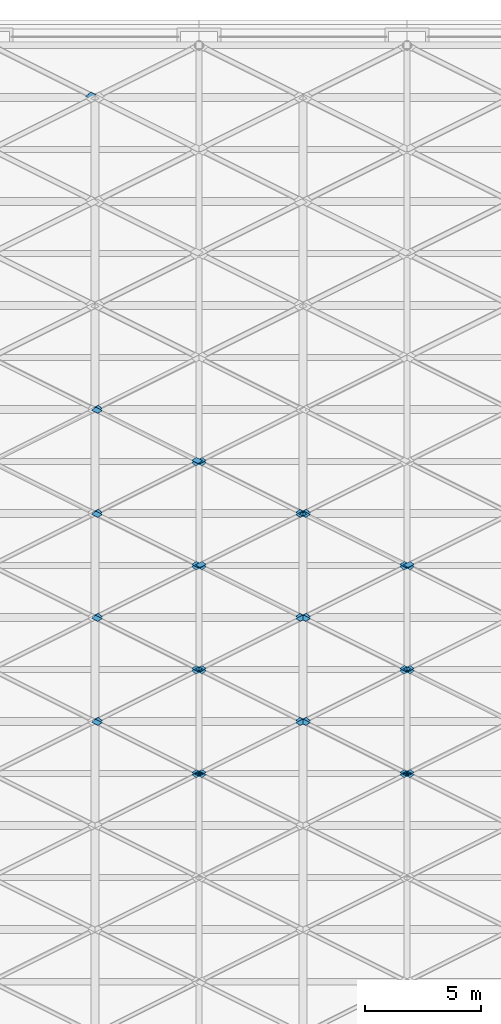
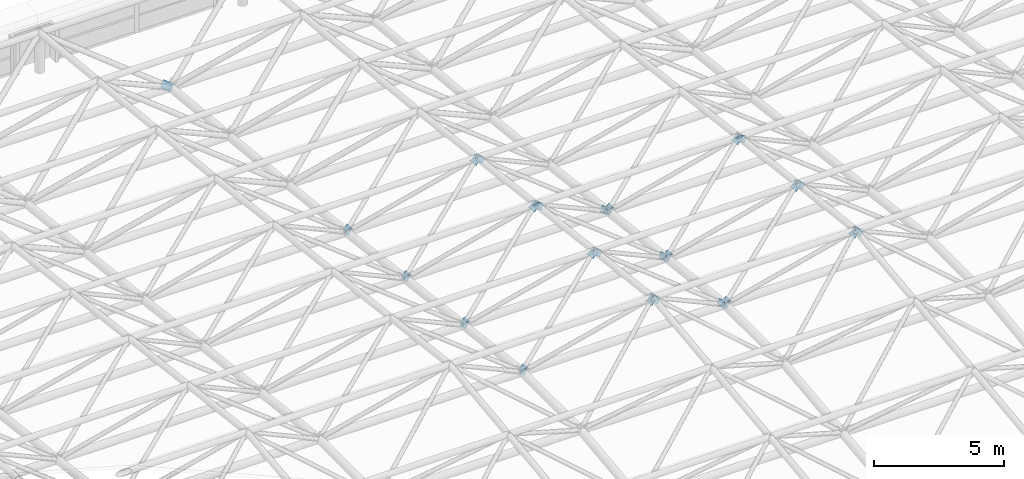
# One storey, part 39 of 53: 49 discrete accessories.
"""IFC4 building model written with IfcOpenShell, lengths in metres."""

from ifc_helpers import new_model, si_unit, direction, frame, origin, place, context, subcontext, project, spatial, polyline, outline, extrude, material, layer, layer_set, type_object, element, save


model = new_model("IFC4")

# Units and contexts
model_context = context("Model", 3, precision=1e-05, world=origin(), true_north=direction((0.0, 1.0)))
body_context = subcontext(model_context, "Body", "Model", "MODEL_VIEW")
ifc_project = project(units=[si_unit("LENGTHUNIT", "METRE"), si_unit("AREAUNIT", "SQUARE_METRE"), si_unit("VOLUMEUNIT", "CUBIC_METRE"), si_unit("PLANEANGLEUNIT", "RADIAN"), si_unit("MASSUNIT", "GRAM", prefix="KILO")], contexts=[model_context])

# Site, building, storey
site_placement = place(None, origin())
site = spatial("IfcSite", under=ifc_project, at=site_placement, CompositionType="ELEMENT")
building_placement = place(site_placement, origin())
building = spatial("IfcBuilding", under=site, at=building_placement, Name="Aravalli Gate Trade Fair Centre", CompositionType="ELEMENT")
storey_placement = place(building_placement, frame((0.0, 0.0, 25.199951171875)))
storey = spatial("IfcBuildingStorey", under=building, at=storey_placement, Name="ROOF LEVEL 2", CompositionType="ELEMENT", Elevation=25.199951171875)

# Discrete accessories
ifc_material = material(Name="Steel E350", Category="steel")
ifc_layer_1 = layer(ifc_material, 0.011962890625)
ifc_layer_set_1 = layer_set([ifc_layer_1], Name="Steel E350")
discrete_accessory_type_1 = type_object("IfcDiscreteAccessoryType", Name="Gusset plate 291 x 291 x 12", PredefinedType="USERDEFINED", material=ifc_layer_set_1)
for number, where, z_axis, x_axis, name in (
    (1, (42.121826171875, 77.324462890625, 5.08544921875), (0.000136804439, -0.823750482353, 0.566952488404), (-0.749929392198, 0.374964696099, 0.54498383774), "Gusset plate Space frame web diagonal D3C end A"),
    (2, (51.121826171875, 77.324462890625, 5.08544921875), (0.000136804439, -0.823750482353, 0.566952488404), (-0.749929392198, 0.374964696099, 0.54498383774), "Gusset plate Space frame web diagonal D3C end A"),
):
    element("IfcDiscreteAccessory", number, at=place(storey_placement, frame(where, z_axis=z_axis, x_axis=x_axis)), inside=storey, type_object=discrete_accessory_type_1, Name=name, ObjectType="GUSSET PLATE", PredefinedType="USERDEFINED", context=body_context, shape_type="SweptSolid", body=[
        extrude(outline(polyline([(0.0, 0.0), (0.37047758647752815, -1.3877787807814457e-17), (0.37050220203048867, -0.2904791260615137), (2.461555296055795e-05, -0.2904791260615137), (0.0, 0.0)])), origin(), (0.0, 0.0, -1.0), 0.011962890625),
    ])
for number, where, z_axis, x_axis, name in (
    (3, (41.68603515625, 77.447998046875, 5.264892578125), (-0.000136804439, -0.823750482353, 0.566952488404), (0.749929392198, 0.374964696099, 0.54498383774), "Gusset plate Space frame web diagonal D3D end A"),
    (4, (50.68603515625, 77.447998046875, 5.264892578125), (-0.000136804439, -0.823750482353, 0.566952488404), (0.749929392198, 0.374964696099, 0.54498383774), "Gusset plate Space frame web diagonal D3D end A"),
):
    element("IfcDiscreteAccessory", number, at=place(storey_placement, frame(where, z_axis=z_axis, x_axis=x_axis)), inside=storey, type_object=discrete_accessory_type_1, Name=name, ObjectType="GUSSET PLATE", PredefinedType="USERDEFINED", context=body_context, shape_type="SweptSolid", body=[
        extrude(outline(polyline([(0.0, 0.0), (0.37047758647752815, 1.3877787807814457e-17), (0.37045297092456764, -0.2904791260615137), (-2.461555296055795e-05, -0.2904791260615137), (0.0, 0.0)])), origin(), (0.0, 0.0, -1.0), 0.011962890625),
    ])
discrete_accessory_1_placement = place(storey_placement, frame((42.121826171875, 77.675537109375, 5.08544921875), z_axis=(0.000136804439, 0.823750482353, 0.566952488404), x_axis=(-0.749929392198, -0.374964696099, 0.54498383774)))
element("IfcDiscreteAccessory", 5, at=discrete_accessory_1_placement, inside=storey, type_object=discrete_accessory_type_1, Name="Gusset plate Space frame web diagonal D4A end A", ObjectType="GUSSET PLATE", PredefinedType="USERDEFINED", context=body_context, shape_type="SweptSolid", body=[
    extrude(outline(polyline([(0.0, 0.0), (0.37047758647752815, 1.3877787807814457e-17), (0.37050220203048867, 0.2904791260615137), (2.461555296055795e-05, 0.2904791260615137), (0.0, 0.0)])), origin(), (0.0, 0.0, -1.0), 0.011962890625),
])
discrete_accessory_2_placement = place(storey_placement, frame((46.18603515625, 79.707763671875, 2.132080078125), z_axis=(0.000136804439, 0.823750482353, 0.566952488404), x_axis=(0.749929392198, 0.374964696099, -0.54498383774)))
element("IfcDiscreteAccessory", 6, at=discrete_accessory_2_placement, inside=storey, type_object=discrete_accessory_type_1, Name="Gusset plate Space frame web diagonal D4A end B", ObjectType="GUSSET PLATE", PredefinedType="USERDEFINED", context=body_context, shape_type="SweptSolid", body=[
    extrude(outline(polyline([(0.0, 0.0), (0.37047758647752815, 1.3877787807814457e-17), (0.37045297092456764, -0.2904791260615137), (-2.461555296055795e-05, -0.2904791260615137), (0.0, 0.0)])), origin(), (0.0, 0.0, -1.0), 0.011962890625),
])
for number, where, z_axis, x_axis, name in (
    (7, (51.121826171875, 77.675537109375, 5.08544921875), (0.000136804439, 0.823750482353, 0.566952488404), (-0.749929392198, -0.374964696099, 0.54498383774), "Gusset plate Space frame web diagonal D4A end A"),
    (8, (42.121826171875, 82.175537109375, 4.54541015625), (0.000136804439, 0.823750482353, 0.566952488404), (-0.749929392198, -0.374964696099, 0.54498383774), "Gusset plate Space frame web diagonal D4A end A"),
):
    element("IfcDiscreteAccessory", number, at=place(storey_placement, frame(where, z_axis=z_axis, x_axis=x_axis)), inside=storey, type_object=discrete_accessory_type_1, Name=name, ObjectType="GUSSET PLATE", PredefinedType="USERDEFINED", context=body_context, shape_type="SweptSolid", body=[
        extrude(outline(polyline([(0.0, 0.0), (0.37047758647752815, 1.3877787807814457e-17), (0.37050220203048867, 0.2904791260615137), (2.461555296055795e-05, 0.2904791260615137), (0.0, 0.0)])), origin(), (0.0, 0.0, -1.0), 0.011962890625),
    ])
discrete_accessory_3_placement = place(storey_placement, frame((46.18603515625, 84.207763671875, 1.592041015625), z_axis=(0.000136804439, 0.823750482353, 0.566952488404), x_axis=(0.749929392198, 0.374964696099, -0.54498383774)))
element("IfcDiscreteAccessory", 9, at=discrete_accessory_3_placement, inside=storey, type_object=discrete_accessory_type_1, Name="Gusset plate Space frame web diagonal D4A end B", ObjectType="GUSSET PLATE", PredefinedType="USERDEFINED", context=body_context, shape_type="SweptSolid", body=[
    extrude(outline(polyline([(0.0, 0.0), (0.37047758647752815, 1.3877787807814457e-17), (0.37045297092456764, -0.2904791260615137), (-2.461555296055795e-05, -0.2904791260615137), (0.0, 0.0)])), origin(), (0.0, 0.0, -1.0), 0.011962890625),
])
discrete_accessory_4_placement = place(storey_placement, frame((51.121826171875, 82.175537109375, 4.54541015625), z_axis=(0.000136804439, 0.823750482353, 0.566952488404), x_axis=(-0.749929392198, -0.374964696099, 0.54498383774)))
element("IfcDiscreteAccessory", 10, at=discrete_accessory_4_placement, inside=storey, type_object=discrete_accessory_type_1, Name="Gusset plate Space frame web diagonal D4A end A", ObjectType="GUSSET PLATE", PredefinedType="USERDEFINED", context=body_context, shape_type="SweptSolid", body=[
    extrude(outline(polyline([(0.0, 0.0), (0.37047758647752815, 1.3877787807814457e-17), (0.37050220203048867, 0.2904791260615137), (2.461555296055795e-05, 0.2904791260615137), (0.0, 0.0)])), origin(), (0.0, 0.0, -1.0), 0.011962890625),
])
discrete_accessory_5_placement = place(storey_placement, frame((41.68603515625, 77.552001953125, 5.264892578125), z_axis=(-0.000136804439, 0.823750482353, 0.566952488404), x_axis=(0.749929392198, -0.374964696099, 0.54498383774)))
element("IfcDiscreteAccessory", 11, at=discrete_accessory_5_placement, inside=storey, type_object=discrete_accessory_type_1, Name="Gusset plate Space frame web diagonal D4B end A", ObjectType="GUSSET PLATE", PredefinedType="USERDEFINED", context=body_context, shape_type="SweptSolid", body=[
    extrude(outline(polyline([(0.0, 0.0), (0.37047758647752815, -1.3877787807814457e-17), (0.37045297092456764, 0.2904791260615137), (-2.461555296055795e-05, 0.2904791260615137), (0.0, 0.0)])), origin(), (0.0, 0.0, -1.0), 0.011962890625),
])
discrete_accessory_6_placement = place(storey_placement, frame((37.621826171875, 79.584228515625, 2.3115234375), z_axis=(-0.000136804439, 0.823750482353, 0.566952488404), x_axis=(-0.749929392198, 0.374964696099, -0.54498383774)))
element("IfcDiscreteAccessory", 12, at=discrete_accessory_6_placement, inside=storey, type_object=discrete_accessory_type_1, Name="Gusset plate Space frame web diagonal D4B end B", ObjectType="GUSSET PLATE", PredefinedType="USERDEFINED", context=body_context, shape_type="SweptSolid", body=[
    extrude(outline(polyline([(0.0, 0.0), (0.37047758647752815, -1.3877787807814457e-17), (0.37050220203048867, -0.2904791260615137), (2.461555296055795e-05, -0.2904791260615137), (0.0, 0.0)])), origin(), (0.0, 0.0, -1.0), 0.011962890625),
])
discrete_accessory_7_placement = place(storey_placement, frame((50.68603515625, 77.552001953125, 5.264892578125), z_axis=(-0.000136804439, 0.823750482353, 0.566952488404), x_axis=(0.749929392198, -0.374964696099, 0.54498383774)))
element("IfcDiscreteAccessory", 13, at=discrete_accessory_7_placement, inside=storey, type_object=discrete_accessory_type_1, Name="Gusset plate Space frame web diagonal D4B end A", ObjectType="GUSSET PLATE", PredefinedType="USERDEFINED", context=body_context, shape_type="SweptSolid", body=[
    extrude(outline(polyline([(0.0, 0.0), (0.37047758647752815, -1.3877787807814457e-17), (0.37045297092456764, 0.2904791260615137), (-2.461555296055795e-05, 0.2904791260615137), (0.0, 0.0)])), origin(), (0.0, 0.0, -1.0), 0.011962890625),
])
discrete_accessory_8_placement = place(storey_placement, frame((46.621826171875, 79.584228515625, 2.3115234375), z_axis=(-0.000136804439, 0.823750482353, 0.566952488404), x_axis=(-0.749929392198, 0.374964696099, -0.54498383774)))
element("IfcDiscreteAccessory", 14, at=discrete_accessory_8_placement, inside=storey, type_object=discrete_accessory_type_1, Name="Gusset plate Space frame web diagonal D4B end B", ObjectType="GUSSET PLATE", PredefinedType="USERDEFINED", context=body_context, shape_type="SweptSolid", body=[
    extrude(outline(polyline([(0.0, 0.0), (0.37047758647752815, -1.3877787807814457e-17), (0.37050220203048867, -0.2904791260615137), (2.461555296055795e-05, -0.2904791260615137), (0.0, 0.0)])), origin(), (0.0, 0.0, -1.0), 0.011962890625),
])
discrete_accessory_9_placement = place(storey_placement, frame((41.68603515625, 82.052001953125, 4.724853515625), z_axis=(-0.000136804439, 0.823750482353, 0.566952488404), x_axis=(0.749929392198, -0.374964696099, 0.54498383774)))
element("IfcDiscreteAccessory", 15, at=discrete_accessory_9_placement, inside=storey, type_object=discrete_accessory_type_1, Name="Gusset plate Space frame web diagonal D4B end A", ObjectType="GUSSET PLATE", PredefinedType="USERDEFINED", context=body_context, shape_type="SweptSolid", body=[
    extrude(outline(polyline([(0.0, 0.0), (0.37047758647752815, -1.3877787807814457e-17), (0.37045297092456764, 0.2904791260615137), (-2.461555296055795e-05, 0.2904791260615137), (0.0, 0.0)])), origin(), (0.0, 0.0, -1.0), 0.011962890625),
])
discrete_accessory_10_placement = place(storey_placement, frame((37.621826171875, 84.084228515625, 1.771484375), z_axis=(-0.000136804439, 0.823750482353, 0.566952488404), x_axis=(-0.749929392198, 0.374964696099, -0.54498383774)))
element("IfcDiscreteAccessory", 16, at=discrete_accessory_10_placement, inside=storey, type_object=discrete_accessory_type_1, Name="Gusset plate Space frame web diagonal D4B end B", ObjectType="GUSSET PLATE", PredefinedType="USERDEFINED", context=body_context, shape_type="SweptSolid", body=[
    extrude(outline(polyline([(0.0, 0.0), (0.37047758647752815, -1.3877787807814457e-17), (0.37050220203048867, -0.2904791260615137), (2.461555296055795e-05, -0.2904791260615137), (0.0, 0.0)])), origin(), (0.0, 0.0, -1.0), 0.011962890625),
])
discrete_accessory_11_placement = place(storey_placement, frame((50.68603515625, 82.052001953125, 4.724853515625), z_axis=(-0.000136804439, 0.823750482353, 0.566952488404), x_axis=(0.749929392198, -0.374964696099, 0.54498383774)))
element("IfcDiscreteAccessory", 17, at=discrete_accessory_11_placement, inside=storey, type_object=discrete_accessory_type_1, Name="Gusset plate Space frame web diagonal D4B end A", ObjectType="GUSSET PLATE", PredefinedType="USERDEFINED", context=body_context, shape_type="SweptSolid", body=[
    extrude(outline(polyline([(0.0, 0.0), (0.37047758647752815, -1.3877787807814457e-17), (0.37045297092456764, 0.2904791260615137), (-2.461555296055795e-05, 0.2904791260615137), (0.0, 0.0)])), origin(), (0.0, 0.0, -1.0), 0.011962890625),
])
discrete_accessory_12_placement = place(storey_placement, frame((46.621826171875, 84.084228515625, 1.771484375), z_axis=(-0.000136804439, 0.823750482353, 0.566952488404), x_axis=(-0.749929392198, 0.374964696099, -0.54498383774)))
element("IfcDiscreteAccessory", 18, at=discrete_accessory_12_placement, inside=storey, type_object=discrete_accessory_type_1, Name="Gusset plate Space frame web diagonal D4B end B", ObjectType="GUSSET PLATE", PredefinedType="USERDEFINED", context=body_context, shape_type="SweptSolid", body=[
    extrude(outline(polyline([(0.0, 0.0), (0.37047758647752815, -1.3877787807814457e-17), (0.37050220203048867, -0.2904791260615137), (2.461555296055795e-05, -0.2904791260615137), (0.0, 0.0)])), origin(), (0.0, 0.0, -1.0), 0.011962890625),
])
discrete_accessory_13_placement = place(storey_placement, frame((42.138671875, 81.80859375, 4.567138671875), z_axis=(0.000259688153, -0.77158167438, 0.636130216483), x_axis=(-0.786189750281, 0.392961505637, 0.476955901148)))
element("IfcDiscreteAccessory", 19, at=discrete_accessory_13_placement, inside=storey, type_object=discrete_accessory_type_1, Name="Gusset plate Space frame web diagonal D4C end A", ObjectType="GUSSET PLATE", PredefinedType="USERDEFINED", context=body_context, shape_type="SweptSolid", body=[
    extrude(outline(polyline([(0.0, 0.0), (0.37047009323158403, 1.3877787807814457e-17), (0.3706453255393415, -0.29059138113822636), (7.929444017017173e-05, -0.29046925152010133), (0.0, 0.0)])), origin(), (0.0, 0.0, -1.0), 0.011962890625),
])
discrete_accessory_14_placement = place(storey_placement, frame((46.181884765625, 79.786865234375, 2.1142578125), z_axis=(0.000259222443, -0.771843687699, 0.635812279342), x_axis=(0.78618965885, -0.392765328311, -0.477117613586)))
element("IfcDiscreteAccessory", 20, at=discrete_accessory_14_placement, inside=storey, type_object=discrete_accessory_type_1, Name="Gusset plate Space frame web diagonal D4C end B", ObjectType="GUSSET PLATE", PredefinedType="USERDEFINED", context=body_context, shape_type="SweptSolid", body=[
    extrude(outline(polyline([(0.0, 0.0), (0.3704701052045229, 2.7755575615628914e-17), (0.3703907868210381, 0.2904692667840814), (-7.931838348480824e-05, 0.2904692667840814), (0.0, 0.0)])), origin(), (0.0, 0.0, -1.0), 0.011962890625),
])
for number, where, z_axis, x_axis, name in (
    (21, (51.138671875, 81.80859375, 4.567138671875), (0.000259688153, -0.77158167438, 0.636130216483), (-0.786189750281, 0.392961505637, 0.476955901148), "Gusset plate Space frame web diagonal D4C end A"),
    (22, (42.138671875, 86.30859375, 4.027099609375), (0.000259688153, -0.77158167438, 0.636130216483), (-0.786189750281, 0.392961505637, 0.476955901148), "Gusset plate Space frame web diagonal D4C end A"),
):
    element("IfcDiscreteAccessory", number, at=place(storey_placement, frame(where, z_axis=z_axis, x_axis=x_axis)), inside=storey, type_object=discrete_accessory_type_1, Name=name, ObjectType="GUSSET PLATE", PredefinedType="USERDEFINED", context=body_context, shape_type="SweptSolid", body=[
        extrude(outline(polyline([(0.0, 0.0), (0.37047009323158403, 1.3877787807814457e-17), (0.3706453255393415, -0.29059138113822636), (7.929444017017173e-05, -0.29046925152010133), (0.0, 0.0)])), origin(), (0.0, 0.0, -1.0), 0.011962890625),
    ])
discrete_accessory_15_placement = place(storey_placement, frame((46.181884765625, 84.286865234375, 1.574462890625), z_axis=(0.000589123978, -0.771792295466, 0.635874441689), x_axis=(0.785942550469, -0.392803472142, -0.477493182816)))
element("IfcDiscreteAccessory", 23, at=discrete_accessory_15_placement, inside=storey, type_object=discrete_accessory_type_1, Name="Gusset plate Space frame web diagonal D4C end B", ObjectType="GUSSET PLATE", PredefinedType="USERDEFINED", context=body_context, shape_type="SweptSolid", body=[
    extrude(outline(polyline([(0.0, 0.0), (0.3705866429803553, 2.7755575615628914e-17), (0.37039124031354775, 0.29046920151748473), (-7.882718272163303e-05, 0.29032116611826925), (0.0, 0.0)])), origin(), (0.0, 0.0, -1.0), 0.011962890625),
])
discrete_accessory_16_placement = place(storey_placement, frame((51.138671875, 86.30859375, 4.027099609375), z_axis=(0.000259688153, -0.77158167438, 0.636130216483), x_axis=(-0.786189750281, 0.392961505637, 0.476955901148)))
element("IfcDiscreteAccessory", 24, at=discrete_accessory_16_placement, inside=storey, type_object=discrete_accessory_type_1, Name="Gusset plate Space frame web diagonal D4C end A", ObjectType="GUSSET PLATE", PredefinedType="USERDEFINED", context=body_context, shape_type="SweptSolid", body=[
    extrude(outline(polyline([(0.0, 0.0), (0.37047009323158403, 1.3877787807814457e-17), (0.3706453255393415, -0.29059138113822636), (7.929444017017173e-05, -0.29046925152010133), (0.0, 0.0)])), origin(), (0.0, 0.0, -1.0), 0.011962890625),
])
discrete_accessory_17_placement = place(storey_placement, frame((41.681884765625, 81.953857421875, 4.743408203125), z_axis=(-0.000259688153, -0.77158167438, 0.636130216483), x_axis=(0.785986034617, 0.393126352276, 0.477155765483)))
element("IfcDiscreteAccessory", 25, at=discrete_accessory_17_placement, inside=storey, type_object=discrete_accessory_type_1, Name="Gusset plate Space frame web diagonal D4D end A", ObjectType="GUSSET PLATE", PredefinedType="USERDEFINED", context=body_context, shape_type="SweptSolid", body=[
    extrude(outline(polyline([(0.0, 0.0), (0.3705660512246577, -1.3877787807814457e-17), (0.3702950470274762, -0.2905913076038385), (-0.0001750260838329909, -0.2904692096111498), (0.0, 0.0)])), origin(), (0.0, 0.0, -1.0), 0.011962890625),
])
discrete_accessory_18_placement = place(storey_placement, frame((37.638671875, 79.93212890625, 2.29052734375), z_axis=(-0.000259222443, -0.771843687699, 0.635812279342), x_axis=(-0.78618965885, -0.392765328311, -0.477117613586)))
element("IfcDiscreteAccessory", 26, at=discrete_accessory_18_placement, inside=storey, type_object=discrete_accessory_type_1, Name="Gusset plate Space frame web diagonal D4D end B", ObjectType="GUSSET PLATE", PredefinedType="USERDEFINED", context=body_context, shape_type="SweptSolid", body=[
    extrude(outline(polyline([(0.0, 0.0), (0.3704701052045229, -2.7755575615628914e-17), (0.3705494235880077, 0.29046926678408136), (7.931838348480824e-05, 0.2904692667840814), (0.0, 0.0)])), origin(), (0.0, 0.0, -1.0), 0.011962890625),
])
discrete_accessory_19_placement = place(storey_placement, frame((50.681884765625, 81.953857421875, 4.743408203125), z_axis=(-0.000259688153, -0.77158167438, 0.636130216483), x_axis=(0.785986034617, 0.393126352276, 0.477155765483)))
element("IfcDiscreteAccessory", 27, at=discrete_accessory_19_placement, inside=storey, type_object=discrete_accessory_type_1, Name="Gusset plate Space frame web diagonal D4D end A", ObjectType="GUSSET PLATE", PredefinedType="USERDEFINED", context=body_context, shape_type="SweptSolid", body=[
    extrude(outline(polyline([(0.0, 0.0), (0.3705660512246577, -1.3877787807814457e-17), (0.3702950470274762, -0.2905913076038385), (-0.0001750260838329909, -0.2904692096111498), (0.0, 0.0)])), origin(), (0.0, 0.0, -1.0), 0.011962890625),
])
discrete_accessory_20_placement = place(storey_placement, frame((46.638671875, 79.93212890625, 2.29052734375), z_axis=(-0.000259222443, -0.771843687699, 0.635812279342), x_axis=(-0.78618965885, -0.392765328311, -0.477117613586)))
element("IfcDiscreteAccessory", 28, at=discrete_accessory_20_placement, inside=storey, type_object=discrete_accessory_type_1, Name="Gusset plate Space frame web diagonal D4D end B", ObjectType="GUSSET PLATE", PredefinedType="USERDEFINED", context=body_context, shape_type="SweptSolid", body=[
    extrude(outline(polyline([(0.0, 0.0), (0.3704701052045229, -2.7755575615628914e-17), (0.3705494235880077, 0.29046926678408136), (7.931838348480824e-05, 0.2904692667840814), (0.0, 0.0)])), origin(), (0.0, 0.0, -1.0), 0.011962890625),
])
discrete_accessory_21_placement = place(storey_placement, frame((41.681884765625, 86.453857421875, 4.203369140625), z_axis=(-0.000259688153, -0.77158167438, 0.636130216483), x_axis=(0.785986034617, 0.393126352276, 0.477155765483)))
element("IfcDiscreteAccessory", 29, at=discrete_accessory_21_placement, inside=storey, type_object=discrete_accessory_type_1, Name="Gusset plate Space frame web diagonal D4D end A", ObjectType="GUSSET PLATE", PredefinedType="USERDEFINED", context=body_context, shape_type="SweptSolid", body=[
    extrude(outline(polyline([(0.0, 0.0), (0.3705660512246577, -1.3877787807814457e-17), (0.3702950470274762, -0.2905913076038385), (-0.0001750260838329909, -0.2904692096111498), (0.0, 0.0)])), origin(), (0.0, 0.0, -1.0), 0.011962890625),
])
discrete_accessory_22_placement = place(storey_placement, frame((37.638671875, 84.43212890625, 1.75048828125), z_axis=(-0.000589123978, -0.771792295466, 0.635874441689), x_axis=(-0.786189552673, -0.392603629975, -0.477250853324)))
element("IfcDiscreteAccessory", 30, at=discrete_accessory_22_placement, inside=storey, type_object=discrete_accessory_type_1, Name="Gusset plate Space frame web diagonal D4D end B", ObjectType="GUSSET PLATE", PredefinedType="USERDEFINED", context=body_context, shape_type="SweptSolid", body=[
    extrude(outline(polyline([(0.0, 0.0), (0.3704700970728539, -1.3877787807814457e-17), (0.37054943172141785, 0.29046925640835186), (-3.7181673048419794e-05, 0.2903211744387922), (0.0, 0.0)])), origin(), (0.0, 0.0, -1.0), 0.011962890625),
])
discrete_accessory_23_placement = place(storey_placement, frame((50.681884765625, 86.453857421875, 4.203369140625), z_axis=(-0.000259688153, -0.77158167438, 0.636130216483), x_axis=(0.785986034617, 0.393126352276, 0.477155765483)))
element("IfcDiscreteAccessory", 31, at=discrete_accessory_23_placement, inside=storey, type_object=discrete_accessory_type_1, Name="Gusset plate Space frame web diagonal D4D end A", ObjectType="GUSSET PLATE", PredefinedType="USERDEFINED", context=body_context, shape_type="SweptSolid", body=[
    extrude(outline(polyline([(0.0, 0.0), (0.3705660512246577, -1.3877787807814457e-17), (0.3702950470274762, -0.2905913076038385), (-0.0001750260838329909, -0.2904692096111498), (0.0, 0.0)])), origin(), (0.0, 0.0, -1.0), 0.011962890625),
])
discrete_accessory_24_placement = place(storey_placement, frame((46.638671875, 84.43212890625, 1.75048828125), z_axis=(-0.000589123978, -0.771792295466, 0.635874441689), x_axis=(-0.786189552673, -0.392603629975, -0.477250853324)))
element("IfcDiscreteAccessory", 32, at=discrete_accessory_24_placement, inside=storey, type_object=discrete_accessory_type_1, Name="Gusset plate Space frame web diagonal D4D end B", ObjectType="GUSSET PLATE", PredefinedType="USERDEFINED", context=body_context, shape_type="SweptSolid", body=[
    extrude(outline(polyline([(0.0, 0.0), (0.3704700970728539, -1.3877787807814457e-17), (0.37054943172141785, 0.29046925640835186), (-3.7181673048419794e-05, 0.2903211744387922), (0.0, 0.0)])), origin(), (0.0, 0.0, -1.0), 0.011962890625),
])
discrete_accessory_25_placement = place(storey_placement, frame((42.12158203125, 86.675537109375, 4.005126953125), z_axis=(-5.9235462e-05, 0.824355565608, 0.566072343383), x_axis=(-0.74937131646, -0.374861397834, 0.545821914622)))
element("IfcDiscreteAccessory", 33, at=discrete_accessory_25_placement, inside=storey, type_object=discrete_accessory_type_1, Name="Gusset plate Space frame web diagonal D5A end A", ObjectType="GUSSET PLATE", PredefinedType="USERDEFINED", context=body_context, shape_type="SweptSolid", body=[
    extrude(outline(polyline([(0.0, 0.0), (0.3704277020236978, 0.0), (0.37073891027907924, 0.290526143046557), (-5.001029550574798e-06, 0.29053697785674903), (0.0, 0.0)])), origin(), (0.0, 0.0, -1.0), 0.011962890625),
])
discrete_accessory_26_placement = place(storey_placement, frame((46.18603515625, 88.707763671875, 1.047119140625), z_axis=(-0.000356491483, 0.824386555112, 0.566027102411), x_axis=(0.749660046124, 0.374830119882, -0.545446786108)))
element("IfcDiscreteAccessory", 34, at=discrete_accessory_26_placement, inside=storey, type_object=discrete_accessory_type_1, Name="Gusset plate Space frame web diagonal D5A end B", ObjectType="GUSSET PLATE", PredefinedType="USERDEFINED", context=body_context, shape_type="SweptSolid", body=[
    extrude(outline(polyline([(0.0, 0.0), (0.37061069570280314, 0.0), (0.3704262257769532, -0.2905262593825685), (-1.4474536517566916e-06, -0.29068783726431885), (0.0, 0.0)])), origin(), (0.0, 0.0, -1.0), 0.011962890625),
])
discrete_accessory_27_placement = place(storey_placement, frame((51.12158203125, 86.675537109375, 4.005126953125), z_axis=(-5.9235462e-05, 0.824355565608, 0.566072343383), x_axis=(-0.74937131646, -0.374861397834, 0.545821914622)))
element("IfcDiscreteAccessory", 35, at=discrete_accessory_27_placement, inside=storey, type_object=discrete_accessory_type_1, Name="Gusset plate Space frame web diagonal D5A end A", ObjectType="GUSSET PLATE", PredefinedType="USERDEFINED", context=body_context, shape_type="SweptSolid", body=[
    extrude(outline(polyline([(0.0, 0.0), (0.3704277020236978, 0.0), (0.37073891027907924, 0.290526143046557), (-5.001029550574798e-06, 0.29053697785674903), (0.0, 0.0)])), origin(), (0.0, 0.0, -1.0), 0.011962890625),
])
discrete_accessory_28_placement = place(storey_placement, frame((42.12158203125, 91.175537109375, 3.455078125), z_axis=(-5.9235462e-05, 0.824355565608, 0.566072343383), x_axis=(-0.74910175115, -0.37503400761, 0.546073309694)))
element("IfcDiscreteAccessory", 36, at=discrete_accessory_28_placement, inside=storey, type_object=discrete_accessory_type_1, Name="Gusset plate Space frame web diagonal D5A end A", ObjectType="GUSSET PLATE", PredefinedType="USERDEFINED", context=body_context, shape_type="SweptSolid", body=[
    extrude(outline(polyline([(0.0, 0.0), (0.37056099002046733, 1.3877787807814457e-17), (0.3708571273038952, 0.29037522366126584), (0.00024656979283793623, 0.29068772448272373), (0.0, 0.0)])), origin(), (0.0, 0.0, -1.0), 0.011962890625),
])
discrete_accessory_29_placement = place(storey_placement, frame((41.68603515625, 86.55224609375, 4.1845703125), z_axis=(5.9235462e-05, 0.824355565608, 0.566072343383), x_axis=(0.749390667151, -0.374849001628, 0.545803860343)))
element("IfcDiscreteAccessory", 37, at=discrete_accessory_29_placement, inside=storey, type_object=discrete_accessory_type_1, Name="Gusset plate Space frame web diagonal D5B end A", ObjectType="GUSSET PLATE", PredefinedType="USERDEFINED", context=body_context, shape_type="SweptSolid", body=[
    extrude(outline(polyline([(0.0, 0.0), (0.37074391146695085, 0.0), (0.3704411936966931, 0.2905261520174016), (1.3491831181253189e-05, 0.2905369775865267), (0.0, 0.0)])), origin(), (0.0, 0.0, -1.0), 0.011962890625),
])
discrete_accessory_30_placement = place(storey_placement, frame((37.62158203125, 88.58447265625, 1.226806640625), z_axis=(0.000356491483, 0.824386555112, 0.566027102411), x_axis=(-0.749371292409, 0.375015088164, -0.54571636384)))
element("IfcDiscreteAccessory", 38, at=discrete_accessory_30_placement, inside=storey, type_object=discrete_accessory_type_1, Name="Gusset plate Space frame web diagonal D5B end B", ObjectType="GUSSET PLATE", PredefinedType="USERDEFINED", context=body_context, shape_type="SweptSolid", body=[
    extrude(outline(polyline([(0.0, 0.0), (0.3704277084701571, -1.3877787807814457e-17), (0.3707389038272042, -0.29052615127976134), (0.00012824338136119273, -0.2906878089792164), (0.0, 0.0)])), origin(), (0.0, 0.0, -1.0), 0.011962890625),
])
discrete_accessory_31_placement = place(storey_placement, frame((50.68603515625, 86.55224609375, 4.1845703125), z_axis=(5.9235462e-05, 0.824355565608, 0.566072343383), x_axis=(0.749390667151, -0.374849001628, 0.545803860343)))
element("IfcDiscreteAccessory", 39, at=discrete_accessory_31_placement, inside=storey, type_object=discrete_accessory_type_1, Name="Gusset plate Space frame web diagonal D5B end A", ObjectType="GUSSET PLATE", PredefinedType="USERDEFINED", context=body_context, shape_type="SweptSolid", body=[
    extrude(outline(polyline([(0.0, 0.0), (0.37074391146695085, 0.0), (0.3704411936966931, 0.2905261520174016), (1.3491831181253189e-05, 0.2905369775865267), (0.0, 0.0)])), origin(), (0.0, 0.0, -1.0), 0.011962890625),
])
discrete_accessory_32_placement = place(storey_placement, frame((46.62158203125, 88.58447265625, 1.226806640625), z_axis=(0.000356491483, 0.824386555112, 0.566027102411), x_axis=(-0.749371292409, 0.375015088164, -0.54571636384)))
element("IfcDiscreteAccessory", 40, at=discrete_accessory_32_placement, inside=storey, type_object=discrete_accessory_type_1, Name="Gusset plate Space frame web diagonal D5B end B", ObjectType="GUSSET PLATE", PredefinedType="USERDEFINED", context=body_context, shape_type="SweptSolid", body=[
    extrude(outline(polyline([(0.0, 0.0), (0.3704277084701571, -1.3877787807814457e-17), (0.3707389038272042, -0.29052615127976134), (0.00012824338136119273, -0.2906878089792164), (0.0, 0.0)])), origin(), (0.0, 0.0, -1.0), 0.011962890625),
])
discrete_accessory_33_placement = place(storey_placement, frame((41.68603515625, 91.05224609375, 3.634765625), z_axis=(5.9235462e-05, 0.824355565608, 0.566072343383), x_axis=(0.749660070237, -0.374676343996, 0.545552395598)))
element("IfcDiscreteAccessory", 41, at=discrete_accessory_33_placement, inside=storey, type_object=discrete_accessory_type_1, Name="Gusset plate Space frame web diagonal D5B end A", ObjectType="GUSSET PLATE", PredefinedType="USERDEFINED", context=body_context, shape_type="SweptSolid", body=[
    extrude(outline(polyline([(0.0, 0.0), (0.3706106892622231, 1.3877787807814457e-17), (0.3705593979521325, 0.2903753701380719), (-1.4603348369723879e-06, 0.29068782905287593), (0.0, 0.0)])), origin(), (0.0, 0.0, -1.0), 0.011962890625),
])
discrete_accessory_34_placement = place(storey_placement, frame((37.62158203125, 93.08447265625, 0.6767578125), z_axis=(0.000338926475, 0.824215745649, 0.566275807141), x_axis=(-0.74937124219, 0.375168906268, -0.545610697428)))
element("IfcDiscreteAccessory", 42, at=discrete_accessory_34_placement, inside=storey, type_object=discrete_accessory_type_1, Name="Gusset plate Space frame web diagonal D5B end B", ObjectType="GUSSET PLATE", PredefinedType="USERDEFINED", context=body_context, shape_type="SweptSolid", body=[
    extrude(outline(polyline([(0.0, 0.0), (0.3704277020281311, -2.7755575615628914e-17), (0.37060567875441897, -0.29037532012757467), (0.00012823049953920862, -0.29068780077573153), (0.0, 0.0)])), origin(), (0.0, 0.0, -1.0), 0.011962890625),
])
discrete_accessory_35_placement = place(storey_placement, frame((42.138916015625, 90.808349609375, 3.477294921875), z_axis=(-6.9765199e-05, -0.771154883137, 0.636647580178), x_axis=(-0.786484474244, 0.393242254842, 0.476238071536)))
element("IfcDiscreteAccessory", 43, at=discrete_accessory_35_placement, inside=storey, type_object=discrete_accessory_type_1, Name="Gusset plate Space frame web diagonal D5C end A", ObjectType="GUSSET PLATE", PredefinedType="USERDEFINED", context=body_context, shape_type="SweptSolid", body=[
    extrude(outline(polyline([(0.0, 0.0), (0.37064165383501635, 1.3877787807814457e-17), (0.3706783195979393, -0.29059144692340316), (0.00022867857401766278, -0.2904406632211646), (0.0, 0.0)])), origin(), (0.0, 0.0, -1.0), 0.011962890625),
])
discrete_accessory_36_placement = place(storey_placement, frame((46.181884765625, 88.786865234375, 1.029052734375), z_axis=(-6.9765199e-05, -0.771154883137, 0.636647580178), x_axis=(0.786233023991, -0.393446013556, -0.476484906794)))
element("IfcDiscreteAccessory", 44, at=discrete_accessory_36_placement, inside=storey, type_object=discrete_accessory_type_1, Name="Gusset plate Space frame web diagonal D5C end B", ObjectType="GUSSET PLATE", PredefinedType="USERDEFINED", context=body_context, shape_type="SweptSolid", body=[
    extrude(outline(polyline([(0.0, 0.0), (0.37044967171058096, 2.7755575615628914e-17), (0.3702947268495056, 0.290591407927876), (-0.0003468962829482891, 0.29044054608337494), (0.0, 0.0)])), origin(), (0.0, 0.0, -1.0), 0.011962890625),
])
discrete_accessory_37_placement = place(storey_placement, frame((41.681884765625, 90.953857421875, 3.653564453125), z_axis=(6.9765199e-05, -0.771154883137, 0.636647580178), x_axis=(0.786233023991, 0.393446013556, 0.476484906794)))
element("IfcDiscreteAccessory", 45, at=discrete_accessory_37_placement, inside=storey, type_object=discrete_accessory_type_1, Name="Gusset plate Space frame web diagonal D5D end A", ObjectType="GUSSET PLATE", PredefinedType="USERDEFINED", context=body_context, shape_type="SweptSolid", body=[
    extrude(outline(polyline([(0.0, 0.0), (0.37044967171058096, -2.7755575615628914e-17), (0.3702947268495056, -0.290591407927876), (-0.0003468962829482891, -0.29044054608337494), (0.0, 0.0)])), origin(), (0.0, 0.0, -1.0), 0.011962890625),
])
for number, where, z_axis, x_axis, name in (
    (46, (37.638916015625, 88.932373046875, 1.205322265625), (6.9765199e-05, -0.771154883137, 0.636647580178), (-0.786484474244, -0.393242254842, -0.476238071536), "Gusset plate Space frame web diagonal D5D end B"),
    (47, (46.638916015625, 88.932373046875, 1.205322265625), (6.9765199e-05, -0.771154883137, 0.636647580178), (-0.786484474244, -0.393242254842, -0.476238071536), "Gusset plate Space frame web diagonal D5D end B"),
):
    element("IfcDiscreteAccessory", number, at=place(storey_placement, frame(where, z_axis=z_axis, x_axis=x_axis)), inside=storey, type_object=discrete_accessory_type_1, Name=name, ObjectType="GUSSET PLATE", PredefinedType="USERDEFINED", context=body_context, shape_type="SweptSolid", body=[
        extrude(outline(polyline([(0.0, 0.0), (0.37064165383501635, -1.3877787807814457e-17), (0.3706783195979393, 0.29059144692340316), (0.00022867857401766278, 0.2904406632211646), (0.0, 0.0)])), origin(), (0.0, 0.0, -1.0), 0.011962890625),
    ])
discrete_accessory_38_placement = place(storey_placement, frame((37.638916015625, 93.432373046875, 0.6552734375), z_axis=(-0.000260921892, -0.770886805608, 0.636972106814), x_axis=(-0.786484474223, -0.393242170877, -0.476238140902)))
element("IfcDiscreteAccessory", 48, at=discrete_accessory_38_placement, inside=storey, type_object=discrete_accessory_type_1, Name="Gusset plate Space frame web diagonal D5D end B", ObjectType="GUSSET PLATE", PredefinedType="USERDEFINED", context=body_context, shape_type="SweptSolid", body=[
    extrude(outline(polyline([(0.0, 0.0), (0.37064165383501513, -1.3877787807814457e-17), (0.37056205053393565, 0.29044341020294784), (0.00011240951001027788, 0.2902926265131968), (0.0, 0.0)])), origin(), (0.0, 0.0, -1.0), 0.011962890625),
])
ifc_layer_2 = layer(ifc_material, 0.011962890625)
ifc_layer_set_2 = layer_set([ifc_layer_2], Name="Steel E350")
discrete_accessory_type_2 = type_object("IfcDiscreteAccessoryType", Name="Gusset plate 367 x 367 x 12", PredefinedType="USERDEFINED", material=ifc_layer_set_2)
discrete_accessory_39_placement = place(storey_placement, frame((37.0986328125, 106.798583984375, -0.905517578125), z_axis=(-0.000106895173, -0.77673595722, 0.629826358082), x_axis=(0.783044443413, -0.391795440284, -0.483050445204)))
element("IfcDiscreteAccessory", 49, at=discrete_accessory_39_placement, inside=storey, type_object=discrete_accessory_type_2, Name="Gusset plate Space frame web diagonal D6C end B", ObjectType="GUSSET PLATE", PredefinedType="USERDEFINED", context=body_context, shape_type="SweptSolid", body=[
    extrude(outline(polyline([(0.0, 0.0), (0.4467862821424865, 0.0), (0.4468639253124893, 0.3669184164565776), (7.764317000273635e-05, 0.36691841645657763), (0.0, 0.0)])), origin(), (0.0, 0.0, -1.0), 0.011962890625),
])

save(model, "model.ifc")
